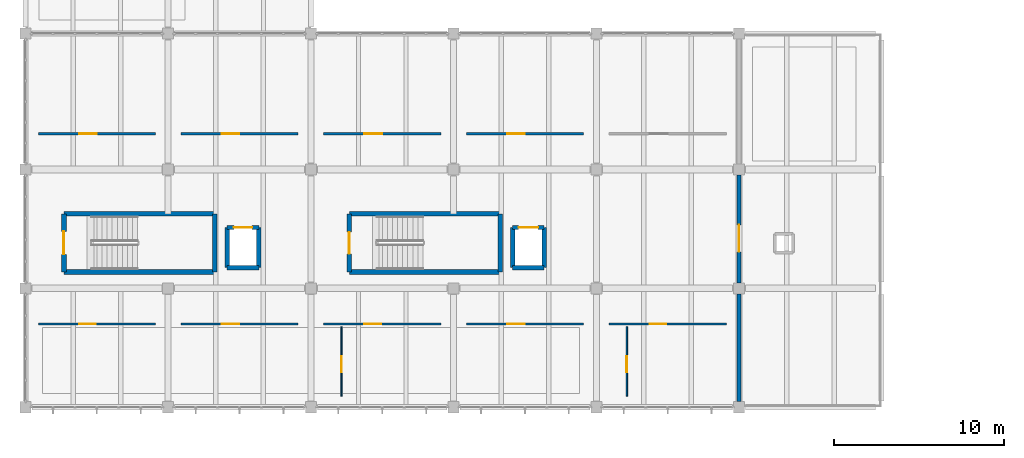
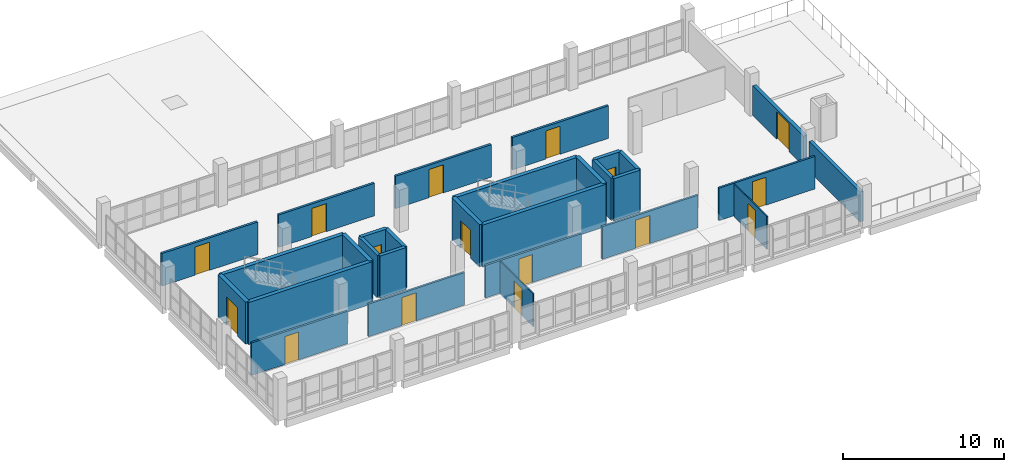
# One storey, part 26 of 33: 29 walls, 16 doors, 16 openings.
"""IFC4 building model written with IfcOpenShell, lengths in metres."""

from ifc_helpers import new_model, si_unit, direction, frame, frame_2d, origin, place, context, subcontext, project, spatial, rectangle, extrude, material, layer, layer_set, type_object, element, fill, save


model = new_model("IFC4")

# Units and contexts
model_context = context("Model", 3, precision=1e-05, world=origin(), true_north=direction((0.0, 1.0)))
body_context = subcontext(model_context, "Body", "Model", "MODEL_VIEW")
ifc_project = project(units=[si_unit("LENGTHUNIT", "METRE"), si_unit("AREAUNIT", "SQUARE_METRE"), si_unit("VOLUMEUNIT", "CUBIC_METRE"), si_unit("PLANEANGLEUNIT", "RADIAN"), si_unit("MASSUNIT", "GRAM", prefix="KILO"), si_unit("THERMODYNAMICTEMPERATUREUNIT", "KELVIN"), si_unit("POWERUNIT", "WATT")], contexts=[model_context])

# Site, building, storey
site_placement = place(None, origin())
site = spatial("IfcSite", under=ifc_project, at=site_placement, CompositionType="ELEMENT")
building_placement = place(site_placement, origin())
building = spatial("IfcBuilding", under=site, at=building_placement, Name="Mavoryth Pier Ferry Terminal", CompositionType="ELEMENT")
storey_placement = place(building_placement, frame((0.0, 0.0, 13.1201171875)))
storey = spatial("IfcBuildingStorey", under=building, at=storey_placement, Name="L03", CompositionType="ELEMENT", Elevation=13.1201171875)

# Walls
ifc_material_1 = material(Name="Concrete C35/45", Category="concrete")
ifc_layer_1 = layer(ifc_material_1, 0.260009765625, Name="Concrete C35/45", Category="concrete")
ifc_layer_set_1 = layer_set([ifc_layer_1], Name="Concrete C35/45 - CoreWall-LiftShaft-RC260")
wall_type_1 = type_object("IfcWallType", Name="CoreWall-LiftShaft-RC260", PredefinedType="SHEAR", material=ifc_layer_set_1)
wall_1_placement = place(storey_placement, frame((53.8701171875, 8.219970703125, 0.0), z_axis=(0.0, 0.0, 1.0), x_axis=(1.0, 0.0, 0.0)))
element("IfcWall", 1, at=wall_1_placement, inside=storey, type_object=wall_type_1, Name="Interior Wall IW-L03-0237", PredefinedType="SHEAR", context=body_context, shape_type="SweptSolid", body=[
    extrude(rectangle(XDim=1.85986328125, YDim=0.260009765625, at=frame_2d((0.929931640625, 0.0))), origin(), (0.0, 0.0, 1.0), 3.199951171875),
])
for number, where, z_axis, x_axis, name in (
    (2, (55.72998046875, 8.219970703125, 0.0), (0.0, 0.0, 1.0), (0.0, 1.0, 0.0), "Interior Wall IW-L03-0238"),
    (3, (53.8701171875, 10.580078125, 0.0), (0.0, 0.0, 1.0), (0.0, -1.0, 0.0), "Interior Wall IW-L03-0239"),
):
    element("IfcWall", number, at=place(storey_placement, frame(where, z_axis=z_axis, x_axis=x_axis)), inside=storey, type_object=wall_type_1, Name=name, PredefinedType="SHEAR", context=body_context, shape_type="SweptSolid", body=[
        extrude(rectangle(XDim=2.360107421875, YDim=0.260009765625, at=frame_2d((1.18017578125, 0.0))), origin(), (0.0, 0.0, 1.0), 3.199951171875),
    ])

# Wall, opening, door
wall_2_placement = place(storey_placement, frame((53.8701171875, 10.580078125, 0.0), z_axis=(0.0, 0.0, 1.0), x_axis=(1.0, 0.0, 0.0)))
wall_2 = element("IfcWall", 4, at=wall_2_placement, inside=storey, type_object=wall_type_1, Name="Interior Wall IW-L03-0240", PredefinedType="SHEAR", context=body_context, shape_type="SweptSolid", body=[
    extrude(rectangle(XDim=1.85986328125, YDim=0.260009765625, at=frame_2d((0.929931640625, 0.0))), origin(), (0.0, 0.0, 1.0), 3.199951171875),
])
opening_1_placement = place(wall_2_placement, frame((0.389892578125, 0.0, 0.0)))
opening_1 = element("IfcOpeningElement", 5, at=opening_1_placement, cuts=wall_2, Name="Opening LD03", PredefinedType="OPENING", context=body_context, shape_type="SweptSolid", body=[
    extrude(rectangle(XDim=1.080078125, YDim=2.139892578125, at=frame_2d((0.5400390625, 1.06982421875))), frame((0.0, 0.139892578125, 0.0), z_axis=(0.0, -1.0, 0.0), x_axis=(1.0, 0.0, 0.0)), (0.0, 0.0, 1.0), 0.280029296875),
])
ifc_material_2 = material(Name="EN 81-72 Fire-Rated Lift Landing Door")
door_type_1 = type_object("IfcDoorType", Name="Door-FireLiftLanding-1080x2140", OperationType="NOTDEFINED", PredefinedType="DOOR", material=ifc_material_2)
door_1_placement = place(opening_1_placement, origin())
door_1 = element("IfcDoor", 6, at=door_1_placement, inside=storey, type_object=door_type_1, Name="Lift FL01 Landing Door L03", OperationType="DOUBLE_DOOR_SLIDING", OverallHeight=2.139892578125, OverallWidth=1.080078125, PredefinedType="DOOR", context=body_context, shape_type="SweptSolid", body=[
    extrude(rectangle(XDim=1.080078125, YDim=2.139892578125, at=frame_2d((0.5400390625, 1.06982421875))), frame((0.0, 0.02490234375, 0.0), z_axis=(0.0, -1.0, 0.0), x_axis=(1.0, 0.0, 0.0)), (0.0, 0.0, 1.0), 0.050048828125),
])
fill(opening_1, door_1)

# Walls
wall_3_placement = place(storey_placement, frame((70.669921875, 8.219970703125, 0.0), z_axis=(0.0, 0.0, 1.0), x_axis=(1.0, 0.0, 0.0)))
element("IfcWall", 7, at=wall_3_placement, inside=storey, type_object=wall_type_1, Name="Interior Wall IW-L03-0277", PredefinedType="SHEAR", context=body_context, shape_type="SweptSolid", body=[
    extrude(rectangle(XDim=1.860107421875, YDim=0.260009765625, at=frame_2d((0.93017578125, 0.0))), origin(), (0.0, 0.0, 1.0), 3.199951171875),
])
for number, where, z_axis, x_axis, name in (
    (8, (72.530029296875, 8.219970703125, 0.0), (0.0, 0.0, 1.0), (0.0, 1.0, 0.0), "Interior Wall IW-L03-0278"),
    (9, (70.669921875, 10.580078125, 0.0), (0.0, 0.0, 1.0), (0.0, -1.0, 0.0), "Interior Wall IW-L03-0279"),
):
    element("IfcWall", number, at=place(storey_placement, frame(where, z_axis=z_axis, x_axis=x_axis)), inside=storey, type_object=wall_type_1, Name=name, PredefinedType="SHEAR", context=body_context, shape_type="SweptSolid", body=[
        extrude(rectangle(XDim=2.360107421875, YDim=0.260009765625, at=frame_2d((1.18017578125, 0.0))), origin(), (0.0, 0.0, 1.0), 3.199951171875),
    ])

# Wall, opening, door
wall_4_placement = place(storey_placement, frame((70.669921875, 10.580078125, 0.0), z_axis=(0.0, 0.0, 1.0), x_axis=(1.0, 0.0, 0.0)))
wall_4 = element("IfcWall", 10, at=wall_4_placement, inside=storey, type_object=wall_type_1, Name="Interior Wall IW-L03-0280", PredefinedType="SHEAR", context=body_context, shape_type="SweptSolid", body=[
    extrude(rectangle(XDim=1.860107421875, YDim=0.260009765625, at=frame_2d((0.93017578125, 0.0))), origin(), (0.0, 0.0, 1.0), 3.199951171875),
])
opening_2_placement = place(wall_4_placement, frame((0.360107421875, 0.0, 0.0)))
opening_2 = element("IfcOpeningElement", 11, at=opening_2_placement, cuts=wall_4, Name="Opening LD02", PredefinedType="OPENING", context=body_context, shape_type="SweptSolid", body=[
    extrude(rectangle(XDim=1.139892578125, YDim=2.139892578125, at=frame_2d((0.56982421875, 1.06982421875))), frame((0.0, 0.139892578125, 0.0), z_axis=(0.0, -1.0, 0.0), x_axis=(1.0, 0.0, 0.0)), (0.0, 0.0, 1.0), 0.280029296875),
])
ifc_material_3 = material(Name="Brushed Stainless Steel Lift Landing Door", Category="steel")
door_type_2 = type_object("IfcDoorType", Name="Door-LiftLanding-1140x2140", OperationType="NOTDEFINED", PredefinedType="DOOR", material=ifc_material_3)
door_2_placement = place(opening_2_placement, origin())
door_2 = element("IfcDoor", 12, at=door_2_placement, inside=storey, type_object=door_type_2, Name="Lift LF10 Landing Door L03", OperationType="DOUBLE_DOOR_SLIDING", OverallHeight=2.139892578125, OverallWidth=1.139892578125, PredefinedType="DOOR", context=body_context, shape_type="SweptSolid", body=[
    extrude(rectangle(XDim=1.139892578125, YDim=2.139892578125, at=frame_2d((0.56982421875, 1.06982421875))), frame((0.0, 0.02490234375, 0.0), z_axis=(0.0, -1.0, 0.0), x_axis=(1.0, 0.0, 0.0)), (0.0, 0.0, 1.0), 0.050048828125),
])
fill(opening_2, door_2)

# Walls
ifc_material_4 = material(Name="Concrete C40/50", Category="concrete")
ifc_layer_2 = layer(ifc_material_4, 0.280029296875, Name="Concrete C40/50", Category="concrete")
ifc_layer_set_2 = layer_set([ifc_layer_2], Name="Concrete C40/50 - CoreWall-Shear-RC280")
wall_type_2 = type_object("IfcWallType", Name="CoreWall-Shear-RC280", PredefinedType="SHEAR", material=ifc_layer_set_2)
for number, where, z_axis, x_axis, name in (
    (13, (44.260009765625, 7.9599609375, 0.0), (0.0, 0.0, 1.0), (1.0, 0.0, 0.0), "Interior Wall IW-L03-0217"),
    (14, (44.260009765625, 11.389892578125, 0.0), (0.0, 0.0, 1.0), (1.0, 0.0, 0.0), "Interior Wall IW-L03-0218"),
):
    element("IfcWall", number, at=place(storey_placement, frame(where, z_axis=z_axis, x_axis=x_axis)), inside=storey, type_object=wall_type_2, Name=name, PredefinedType="SHEAR", context=body_context, shape_type="SweptSolid", body=[
        extrude(rectangle(XDim=8.8798828125, YDim=0.280029296875, at=frame_2d((4.43994140625, 0.0))), origin(), (0.0, 0.0, 1.0), 3.199951171875),
    ])

# Wall, opening, door
wall_5_placement = place(storey_placement, frame((44.260009765625, 11.389892578125, 0.0), z_axis=(0.0, 0.0, 1.0), x_axis=(0.0, -1.0, 0.0)))
wall_5 = element("IfcWall", 15, at=wall_5_placement, inside=storey, type_object=wall_type_2, Name="Interior Wall IW-L03-0219", PredefinedType="SHEAR", context=body_context, shape_type="SweptSolid", body=[
    extrude(rectangle(XDim=3.429931640625, YDim=0.280029296875, at=frame_2d((1.71484375, 0.0))), origin(), (0.0, 0.0, 1.0), 3.199951171875),
])
opening_3_placement = place(wall_5_placement, frame((1.034912109375, 0.0, 0.0)))
opening_3 = element("IfcOpeningElement", 16, at=opening_3_placement, cuts=wall_5, Name="Opening ID02-055", PredefinedType="OPENING", context=body_context, shape_type="SweptSolid", body=[
    extrude(rectangle(XDim=1.360107421875, YDim=2.14990234375, at=frame_2d((0.68017578125, 1.074951171875))), frame((0.0, 0.14990234375, 0.0), z_axis=(0.0, -1.0, 0.0), x_axis=(1.0, 0.0, 0.0)), (0.0, 0.0, 1.0), 0.300048828125),
])
ifc_material_5 = material(Name="Painted Galvanised Steel Fire Door", Category="steel")
door_type_3 = type_object("IfcDoorType", Name="Door-StairFire-1360x2150", OperationType="NOTDEFINED", PredefinedType="DOOR", material=ifc_material_5)
door_3_placement = place(opening_3_placement, origin())
door_3 = element("IfcDoor", 17, at=door_3_placement, inside=storey, type_object=door_type_3, Name="Core C5A Stair Exit Door L03", OperationType="SINGLE_SWING_RIGHT", OverallHeight=2.14990234375, OverallWidth=1.360107421875, PredefinedType="DOOR", context=body_context, shape_type="SweptSolid", body=[
    extrude(rectangle(XDim=1.360107421875, YDim=2.14990234375, at=frame_2d((0.68017578125, 1.074951171875))), frame((0.0, 0.02490234375, 0.0), z_axis=(0.0, -1.0, 0.0), x_axis=(1.0, 0.0, 0.0)), (0.0, 0.0, 1.0), 0.050048828125),
])
fill(opening_3, door_3)

# Walls
wall_6_placement = place(storey_placement, frame((53.139892578125, 7.9599609375, 0.0), z_axis=(0.0, 0.0, 1.0), x_axis=(0.0, 1.0, 0.0)))
element("IfcWall", 18, at=wall_6_placement, inside=storey, type_object=wall_type_2, Name="Interior Wall IW-L03-0220", PredefinedType="SHEAR", context=body_context, shape_type="SweptSolid", body=[
    extrude(rectangle(XDim=3.429931640625, YDim=0.280029296875, at=frame_2d((1.71484375, 0.0))), origin(), (0.0, 0.0, 1.0), 3.199951171875),
])
for number, where, z_axis, x_axis, name in (
    (19, (61.06005859375, 7.9599609375, 0.0), (0.0, 0.0, 1.0), (1.0, 0.0, 0.0), "Interior Wall IW-L03-0257"),
    (20, (61.06005859375, 11.389892578125, 0.0), (0.0, 0.0, 1.0), (1.0, 0.0, 0.0), "Interior Wall IW-L03-0258"),
):
    element("IfcWall", number, at=place(storey_placement, frame(where, z_axis=z_axis, x_axis=x_axis)), inside=storey, type_object=wall_type_2, Name=name, PredefinedType="SHEAR", context=body_context, shape_type="SweptSolid", body=[
        extrude(rectangle(XDim=8.8798828125, YDim=0.280029296875, at=frame_2d((4.43994140625, 0.0))), origin(), (0.0, 0.0, 1.0), 3.199951171875),
    ])

# Wall, opening, door
wall_7_placement = place(storey_placement, frame((61.06005859375, 11.389892578125, 0.0), z_axis=(0.0, 0.0, 1.0), x_axis=(0.0, -1.0, 0.0)))
wall_7 = element("IfcWall", 21, at=wall_7_placement, inside=storey, type_object=wall_type_2, Name="Interior Wall IW-L03-0259", PredefinedType="SHEAR", context=body_context, shape_type="SweptSolid", body=[
    extrude(rectangle(XDim=3.429931640625, YDim=0.280029296875, at=frame_2d((1.71484375, 0.0))), origin(), (0.0, 0.0, 1.0), 3.199951171875),
])
opening_4_placement = place(wall_7_placement, frame((1.074951171875, 0.0, 0.0)))
opening_4 = element("IfcOpeningElement", 22, at=opening_4_placement, cuts=wall_7, Name="Opening ID03-065", PredefinedType="OPENING", context=body_context, shape_type="SweptSolid", body=[
    extrude(rectangle(XDim=1.280029296875, YDim=2.10009765625, at=frame_2d((0.64013671875, 1.050048828125))), frame((0.0, 0.14990234375, 0.0), z_axis=(0.0, -1.0, 0.0), x_axis=(1.0, 0.0, 0.0)), (0.0, 0.0, 1.0), 0.300048828125),
])
door_type_4 = type_object("IfcDoorType", Name="Door-StairFire-1280x2100", OperationType="NOTDEFINED", PredefinedType="DOOR", material=ifc_material_5)
door_4_placement = place(opening_4_placement, origin())
door_4 = element("IfcDoor", 23, at=door_4_placement, inside=storey, type_object=door_type_4, Name="Core C5B Stair Exit Door L03", OperationType="SINGLE_SWING_LEFT", OverallHeight=2.10009765625, OverallWidth=1.280029296875, PredefinedType="DOOR", context=body_context, shape_type="SweptSolid", body=[
    extrude(rectangle(XDim=1.280029296875, YDim=2.10009765625, at=frame_2d((0.64013671875, 1.050048828125))), frame((0.0, 0.02490234375, 0.0), z_axis=(0.0, -1.0, 0.0), x_axis=(1.0, 0.0, 0.0)), (0.0, 0.0, 1.0), 0.050048828125),
])
fill(opening_4, door_4)

# Walls
wall_8_placement = place(storey_placement, frame((69.93994140625, 7.9599609375, 0.0), z_axis=(0.0, 0.0, 1.0), x_axis=(0.0, 1.0, 0.0)))
element("IfcWall", 24, at=wall_8_placement, inside=storey, type_object=wall_type_2, Name="Interior Wall IW-L03-0260", PredefinedType="SHEAR", context=body_context, shape_type="SweptSolid", body=[
    extrude(rectangle(XDim=3.429931640625, YDim=0.280029296875, at=frame_2d((1.71484375, 0.0))), origin(), (0.0, 0.0, 1.0), 3.199951171875),
])
ifc_material_6 = material(Name="Insulated Pentelic Limestone-Faced Masonry", Category="masonry")
ifc_layer_3 = layer(ifc_material_6, 0.25, Name="Insulated Pentelic Limestone-Faced Masonry", Category="masonry")
ifc_layer_set_3 = layer_set([ifc_layer_3], Name="Insulated Pentelic Limestone-Faced Masonry - ExtWall-Facade-Masonry250")
wall_type_3 = type_object("IfcWallType", Name="ExtWall-Facade-Masonry250", PredefinedType="SOLIDWALL", material=ifc_layer_set_3)
wall_9_placement = place(storey_placement, frame((84.0, 0.324951171875, 0.0), z_axis=(0.0, 0.0, 1.0), x_axis=(0.0, 1.0, 0.0)))
element("IfcWall", 25, at=wall_9_placement, inside=storey, type_object=wall_type_3, Name="Exterior Wall EW-L03-175", PredefinedType="SOLIDWALL", context=body_context, shape_type="SweptSolid", body=[
    extrude(rectangle(XDim=6.35009765625, YDim=0.25, at=frame_2d((3.175048828125, 0.0))), origin(), (0.0, 0.0, 1.0), 2.27490234375),
])

# Wall, opening, door
wall_10_placement = place(storey_placement, frame((84.0, 7.324951171875, 0.0), z_axis=(0.0, 0.0, 1.0), x_axis=(0.0, 1.0, 0.0)))
wall_10 = element("IfcWall", 26, at=wall_10_placement, inside=storey, type_object=wall_type_3, Name="Exterior Wall EW-L03-176", PredefinedType="SOLIDWALL", context=body_context, shape_type="SweptSolid", body=[
    extrude(rectangle(XDim=6.35009765625, YDim=0.25, at=frame_2d((3.175048828125, 0.0))), origin(), (0.0, 0.0, 1.0), 2.27490234375),
])
opening_5_placement = place(wall_10_placement, frame((1.81494140625, 0.0, 0.0)))
opening_5 = element("IfcOpeningElement", 27, at=opening_5_placement, cuts=wall_10, Name="Opening ED07-033", PredefinedType="OPENING", context=body_context, shape_type="SweptSolid", body=[
    extrude(rectangle(XDim=1.60009765625, YDim=2.10009765625, at=frame_2d((0.800048828125, 1.050048828125))), frame((0.0, 0.135009765625, 0.0), z_axis=(0.0, -1.0, 0.0), x_axis=(1.0, 0.0, 0.0)), (0.0, 0.0, 1.0), 0.27001953125),
])
ifc_material_7 = material(Name="Thermally Broken Anodised Aluminium and Laminated Glass", Category="aluminium")
door_type_5 = type_object("IfcDoorType", Name="ExtDoor-Terrace-1600x2100", OperationType="NOTDEFINED", PredefinedType="DOOR", material=ifc_material_7)
door_5_placement = place(opening_5_placement, origin())
door_5 = element("IfcDoor", 28, at=door_5_placement, inside=storey, type_object=door_type_5, Name="Exterior Pedestrian Exit Door ED07-033", OperationType="SINGLE_SWING_LEFT", OverallHeight=2.10009765625, OverallWidth=1.60009765625, PredefinedType="DOOR", context=body_context, shape_type="SweptSolid", body=[
    extrude(rectangle(XDim=1.60009765625, YDim=2.10009765625, at=frame_2d((0.800048828125, 1.050048828125))), frame((0.0, 0.02490234375, 0.0), z_axis=(0.0, -1.0, 0.0), x_axis=(1.0, 0.0, 0.0)), (0.0, 0.0, 1.0), 0.050048828125),
])
fill(opening_5, door_5)

ifc_material_8 = material(Name="Double-Stud Acoustic Gypsum Partition")
ifc_layer_4 = layer(ifc_material_8, 0.159912109375, Name="Double-Stud Acoustic Gypsum Partition")
ifc_layer_set_4 = layer_set([ifc_layer_4], Name="Double-Stud Acoustic Gypsum Partition - Part-Acoustic-160")
wall_type_4 = type_object("IfcWallType", Name="Part-Acoustic-160", PredefinedType="PARTITIONING", material=ifc_layer_set_4)
wall_11_placement = place(storey_placement, frame((42.75, 16.10009765625, 0.0), z_axis=(0.0, 0.0, 1.0), x_axis=(1.0, 0.0, 0.0)))
wall_11 = element("IfcWall", 29, at=wall_11_placement, inside=storey, type_object=wall_type_4, Name="Interior Wall IW-L03-0484", PredefinedType="PARTITIONING", context=body_context, shape_type="SweptSolid", body=[
    extrude(rectangle(XDim=6.89990234375, YDim=0.159912109375, at=frame_2d((3.449951171875, 0.0))), origin(), (0.0, 0.0, 1.0), 2.474853515625),
])
opening_6_placement = place(wall_11_placement, frame((2.39990234375, 0.0, 0.0)))
opening_6 = element("IfcOpeningElement", 30, at=opening_6_placement, cuts=wall_11, Name="Opening ID08-153", PredefinedType="OPENING", context=body_context, shape_type="SweptSolid", body=[
    extrude(rectangle(XDim=1.0400390625, YDim=2.139892578125, at=frame_2d((0.52001953125, 1.06982421875))), frame((0.0, 0.08984375, 0.0), z_axis=(0.0, -1.0, 0.0), x_axis=(1.0, 0.0, 0.0)), (0.0, 0.0, 1.0), 0.179931640625),
])
ifc_material_9 = material(Name="Solid-Core Oak Veneer Timber Door", Category="wood")
door_type_6 = type_object("IfcDoorType", Name="Door-RoomSingle-1040x2140", OperationType="NOTDEFINED", PredefinedType="DOOR", material=ifc_material_9)
door_6_placement = place(opening_6_placement, origin())
door_6 = element("IfcDoor", 31, at=door_6_placement, inside=storey, type_object=door_type_6, Name="Interior Door ID08-153", OperationType="SINGLE_SWING_RIGHT", OverallHeight=2.139892578125, OverallWidth=1.0400390625, PredefinedType="DOOR", context=body_context, shape_type="SweptSolid", body=[
    extrude(rectangle(XDim=1.0400390625, YDim=2.139892578125, at=frame_2d((0.52001953125, 1.06982421875))), frame((0.0, 0.02490234375, 0.0), z_axis=(0.0, -1.0, 0.0), x_axis=(1.0, 0.0, 0.0)), (0.0, 0.0, 1.0), 0.050048828125),
])
fill(opening_6, door_6)

wall_12_placement = place(storey_placement, frame((51.14990234375, 16.10009765625, 0.0), z_axis=(0.0, 0.0, 1.0), x_axis=(1.0, 0.0, 0.0)))
wall_12 = element("IfcWall", 32, at=wall_12_placement, inside=storey, type_object=wall_type_4, Name="Interior Wall IW-L03-0486", PredefinedType="PARTITIONING", context=body_context, shape_type="SweptSolid", body=[
    extrude(rectangle(XDim=6.900146484375, YDim=0.159912109375, at=frame_2d((3.4501953125, 0.0))), origin(), (0.0, 0.0, 1.0), 2.474853515625),
])
opening_7_placement = place(wall_12_placement, frame((2.39990234375, 0.0, 0.0)))
opening_7 = element("IfcOpeningElement", 33, at=opening_7_placement, cuts=wall_12, Name="Opening ID08-155", PredefinedType="OPENING", context=body_context, shape_type="SweptSolid", body=[
    extrude(rectangle(XDim=1.0400390625, YDim=2.139892578125, at=frame_2d((0.52001953125, 1.06982421875))), frame((0.0, 0.08984375, 0.0), z_axis=(0.0, -1.0, 0.0), x_axis=(1.0, 0.0, 0.0)), (0.0, 0.0, 1.0), 0.179931640625),
])
door_7_placement = place(opening_7_placement, origin())
door_7 = element("IfcDoor", 34, at=door_7_placement, inside=storey, type_object=door_type_6, Name="Interior Door ID08-155", OperationType="SINGLE_SWING_RIGHT", OverallHeight=2.139892578125, OverallWidth=1.0400390625, PredefinedType="DOOR", context=body_context, shape_type="SweptSolid", body=[
    extrude(rectangle(XDim=1.0400390625, YDim=2.139892578125, at=frame_2d((0.52001953125, 1.06982421875))), frame((0.0, 0.02490234375, 0.0), z_axis=(0.0, -1.0, 0.0), x_axis=(1.0, 0.0, 0.0)), (0.0, 0.0, 1.0), 0.050048828125),
])
fill(opening_7, door_7)

wall_13_placement = place(storey_placement, frame((59.550048828125, 16.10009765625, 0.0), z_axis=(0.0, 0.0, 1.0), x_axis=(1.0, 0.0, 0.0)))
wall_13 = element("IfcWall", 35, at=wall_13_placement, inside=storey, type_object=wall_type_4, Name="Interior Wall IW-L03-0489", PredefinedType="PARTITIONING", context=body_context, shape_type="SweptSolid", body=[
    extrude(rectangle(XDim=6.89990234375, YDim=0.159912109375, at=frame_2d((3.449951171875, 0.0))), origin(), (0.0, 0.0, 1.0), 2.474853515625),
])
opening_8_placement = place(wall_13_placement, frame((2.39990234375, 0.0, 0.0)))
opening_8 = element("IfcOpeningElement", 36, at=opening_8_placement, cuts=wall_13, Name="Opening ID08-158", PredefinedType="OPENING", context=body_context, shape_type="SweptSolid", body=[
    extrude(rectangle(XDim=1.0400390625, YDim=2.139892578125, at=frame_2d((0.52001953125, 1.06982421875))), frame((0.0, 0.08984375, 0.0), z_axis=(0.0, -1.0, 0.0), x_axis=(1.0, 0.0, 0.0)), (0.0, 0.0, 1.0), 0.179931640625),
])
door_8_placement = place(opening_8_placement, origin())
door_8 = element("IfcDoor", 37, at=door_8_placement, inside=storey, type_object=door_type_6, Name="Interior Door ID08-158", OperationType="SINGLE_SWING_LEFT", OverallHeight=2.139892578125, OverallWidth=1.0400390625, PredefinedType="DOOR", context=body_context, shape_type="SweptSolid", body=[
    extrude(rectangle(XDim=1.0400390625, YDim=2.139892578125, at=frame_2d((0.52001953125, 1.06982421875))), frame((0.0, 0.02490234375, 0.0), z_axis=(0.0, -1.0, 0.0), x_axis=(1.0, 0.0, 0.0)), (0.0, 0.0, 1.0), 0.050048828125),
])
fill(opening_8, door_8)

wall_14_placement = place(storey_placement, frame((67.949951171875, 16.10009765625, 0.0), z_axis=(0.0, 0.0, 1.0), x_axis=(1.0, 0.0, 0.0)))
wall_14 = element("IfcWall", 38, at=wall_14_placement, inside=storey, type_object=wall_type_4, Name="Interior Wall IW-L03-0491", PredefinedType="PARTITIONING", context=body_context, shape_type="SweptSolid", body=[
    extrude(rectangle(XDim=6.900146484375, YDim=0.159912109375, at=frame_2d((3.4501953125, 0.0))), origin(), (0.0, 0.0, 1.0), 2.474853515625),
])
opening_9_placement = place(wall_14_placement, frame((2.39990234375, 0.0, 0.0)))
opening_9 = element("IfcOpeningElement", 39, at=opening_9_placement, cuts=wall_14, Name="Opening ID08-160", PredefinedType="OPENING", context=body_context, shape_type="SweptSolid", body=[
    extrude(rectangle(XDim=1.0400390625, YDim=2.139892578125, at=frame_2d((0.52001953125, 1.06982421875))), frame((0.0, 0.08984375, 0.0), z_axis=(0.0, -1.0, 0.0), x_axis=(1.0, 0.0, 0.0)), (0.0, 0.0, 1.0), 0.179931640625),
])
door_9_placement = place(opening_9_placement, origin())
door_9 = element("IfcDoor", 40, at=door_9_placement, inside=storey, type_object=door_type_6, Name="Interior Door ID08-160", OperationType="SINGLE_SWING_LEFT", OverallHeight=2.139892578125, OverallWidth=1.0400390625, PredefinedType="DOOR", context=body_context, shape_type="SweptSolid", body=[
    extrude(rectangle(XDim=1.0400390625, YDim=2.139892578125, at=frame_2d((0.52001953125, 1.06982421875))), frame((0.0, 0.02490234375, 0.0), z_axis=(0.0, -1.0, 0.0), x_axis=(1.0, 0.0, 0.0)), (0.0, 0.0, 1.0), 0.050048828125),
])
fill(opening_9, door_9)

ifc_material_10 = material(Name="Fire-Rated Gypsum Stud Partition")
ifc_layer_5 = layer(ifc_material_10, 0.139892578125, Name="Fire-Rated Gypsum Stud Partition")
ifc_layer_set_5 = layer_set([ifc_layer_5], Name="Fire-Rated Gypsum Stud Partition - Part-Corridor-140")
wall_type_5 = type_object("IfcWallType", Name="Part-Corridor-140", PredefinedType="PARTITIONING", material=ifc_layer_set_5)
wall_15_placement = place(storey_placement, frame((42.75, 4.89990234375, 0.0), z_axis=(0.0, 0.0, 1.0), x_axis=(1.0, 0.0, 0.0)))
wall_15 = element("IfcWall", 41, at=wall_15_placement, inside=storey, type_object=wall_type_5, Name="Interior Wall IW-L03-0483", PredefinedType="PARTITIONING", context=body_context, shape_type="SweptSolid", body=[
    extrude(rectangle(XDim=6.89990234375, YDim=0.139892578125, at=frame_2d((3.449951171875, 0.0))), origin(), (0.0, 0.0, 1.0), 2.474853515625),
])
opening_10_placement = place(wall_15_placement, frame((2.39990234375, 0.0, 0.0)))
opening_10 = element("IfcOpeningElement", 42, at=opening_10_placement, cuts=wall_15, Name="Opening ID09-152", PredefinedType="OPENING", context=body_context, shape_type="SweptSolid", body=[
    extrude(rectangle(XDim=0.97998046875, YDim=2.1201171875, at=frame_2d((0.489990234375, 1.06005859375))), frame((0.0, 0.079833984375, 0.0), z_axis=(0.0, -1.0, 0.0), x_axis=(1.0, 0.0, 0.0)), (0.0, 0.0, 1.0), 0.159912109375),
])
door_type_7 = type_object("IfcDoorType", Name="Door-RoomSingle-980x2120", OperationType="NOTDEFINED", PredefinedType="DOOR", material=ifc_material_9)
door_10_placement = place(opening_10_placement, origin())
door_10 = element("IfcDoor", 43, at=door_10_placement, inside=storey, type_object=door_type_7, Name="Interior Door ID09-152", OperationType="SINGLE_SWING_LEFT", OverallHeight=2.1201171875, OverallWidth=0.97998046875, PredefinedType="DOOR", context=body_context, shape_type="SweptSolid", body=[
    extrude(rectangle(XDim=0.97998046875, YDim=2.1201171875, at=frame_2d((0.489990234375, 1.06005859375))), frame((0.0, 0.02490234375, 0.0), z_axis=(0.0, -1.0, 0.0), x_axis=(1.0, 0.0, 0.0)), (0.0, 0.0, 1.0), 0.050048828125),
])
fill(opening_10, door_10)

wall_16_placement = place(storey_placement, frame((51.14990234375, 4.89990234375, 0.0), z_axis=(0.0, 0.0, 1.0), x_axis=(1.0, 0.0, 0.0)))
wall_16 = element("IfcWall", 44, at=wall_16_placement, inside=storey, type_object=wall_type_5, Name="Interior Wall IW-L03-0485", PredefinedType="PARTITIONING", context=body_context, shape_type="SweptSolid", body=[
    extrude(rectangle(XDim=6.900146484375, YDim=0.139892578125, at=frame_2d((3.4501953125, 0.0))), origin(), (0.0, 0.0, 1.0), 2.474853515625),
])
opening_11_placement = place(wall_16_placement, frame((2.39990234375, 0.0, 0.0)))
opening_11 = element("IfcOpeningElement", 45, at=opening_11_placement, cuts=wall_16, Name="Opening ID08-154", PredefinedType="OPENING", context=body_context, shape_type="SweptSolid", body=[
    extrude(rectangle(XDim=1.0400390625, YDim=2.139892578125, at=frame_2d((0.52001953125, 1.06982421875))), frame((0.0, 0.079833984375, 0.0), z_axis=(0.0, -1.0, 0.0), x_axis=(1.0, 0.0, 0.0)), (0.0, 0.0, 1.0), 0.159912109375),
])
door_11_placement = place(opening_11_placement, origin())
door_11 = element("IfcDoor", 46, at=door_11_placement, inside=storey, type_object=door_type_6, Name="Interior Door ID08-154", OperationType="SINGLE_SWING_LEFT", OverallHeight=2.139892578125, OverallWidth=1.0400390625, PredefinedType="DOOR", context=body_context, shape_type="SweptSolid", body=[
    extrude(rectangle(XDim=1.0400390625, YDim=2.139892578125, at=frame_2d((0.52001953125, 1.06982421875))), frame((0.0, 0.02490234375, 0.0), z_axis=(0.0, -1.0, 0.0), x_axis=(1.0, 0.0, 0.0)), (0.0, 0.0, 1.0), 0.050048828125),
])
fill(opening_11, door_11)

wall_17_placement = place(storey_placement, frame((59.550048828125, 4.89990234375, 0.0), z_axis=(0.0, 0.0, 1.0), x_axis=(1.0, 0.0, 0.0)))
wall_17 = element("IfcWall", 47, at=wall_17_placement, inside=storey, type_object=wall_type_5, Name="Interior Wall IW-L03-0487", PredefinedType="PARTITIONING", context=body_context, shape_type="SweptSolid", body=[
    extrude(rectangle(XDim=6.89990234375, YDim=0.139892578125, at=frame_2d((3.449951171875, 0.0))), origin(), (0.0, 0.0, 1.0), 2.474853515625),
])
opening_12_placement = place(wall_17_placement, frame((2.39990234375, 0.0, 0.0)))
opening_12 = element("IfcOpeningElement", 48, at=opening_12_placement, cuts=wall_17, Name="Opening ID09-156", PredefinedType="OPENING", context=body_context, shape_type="SweptSolid", body=[
    extrude(rectangle(XDim=0.97998046875, YDim=2.1201171875, at=frame_2d((0.489990234375, 1.06005859375))), frame((0.0, 0.079833984375, 0.0), z_axis=(0.0, -1.0, 0.0), x_axis=(1.0, 0.0, 0.0)), (0.0, 0.0, 1.0), 0.159912109375),
])
door_12_placement = place(opening_12_placement, origin())
door_12 = element("IfcDoor", 49, at=door_12_placement, inside=storey, type_object=door_type_7, Name="Interior Door ID09-156", OperationType="SINGLE_SWING_LEFT", OverallHeight=2.1201171875, OverallWidth=0.97998046875, PredefinedType="DOOR", context=body_context, shape_type="SweptSolid", body=[
    extrude(rectangle(XDim=0.97998046875, YDim=2.1201171875, at=frame_2d((0.489990234375, 1.06005859375))), frame((0.0, 0.02490234375, 0.0), z_axis=(0.0, -1.0, 0.0), x_axis=(1.0, 0.0, 0.0)), (0.0, 0.0, 1.0), 0.050048828125),
])
fill(opening_12, door_12)

wall_18_placement = place(storey_placement, frame((67.949951171875, 4.89990234375, 0.0), z_axis=(0.0, 0.0, 1.0), x_axis=(1.0, 0.0, 0.0)))
wall_18 = element("IfcWall", 50, at=wall_18_placement, inside=storey, type_object=wall_type_5, Name="Interior Wall IW-L03-0490", PredefinedType="PARTITIONING", context=body_context, shape_type="SweptSolid", body=[
    extrude(rectangle(XDim=6.900146484375, YDim=0.139892578125, at=frame_2d((3.4501953125, 0.0))), origin(), (0.0, 0.0, 1.0), 2.474853515625),
])
opening_13_placement = place(wall_18_placement, frame((2.39990234375, 0.0, 0.0)))
opening_13 = element("IfcOpeningElement", 51, at=opening_13_placement, cuts=wall_18, Name="Opening ID08-159", PredefinedType="OPENING", context=body_context, shape_type="SweptSolid", body=[
    extrude(rectangle(XDim=1.0400390625, YDim=2.139892578125, at=frame_2d((0.52001953125, 1.06982421875))), frame((0.0, 0.079833984375, 0.0), z_axis=(0.0, -1.0, 0.0), x_axis=(1.0, 0.0, 0.0)), (0.0, 0.0, 1.0), 0.159912109375),
])
door_13_placement = place(opening_13_placement, origin())
door_13 = element("IfcDoor", 52, at=door_13_placement, inside=storey, type_object=door_type_6, Name="Interior Door ID08-159", OperationType="SINGLE_SWING_RIGHT", OverallHeight=2.139892578125, OverallWidth=1.0400390625, PredefinedType="DOOR", context=body_context, shape_type="SweptSolid", body=[
    extrude(rectangle(XDim=1.0400390625, YDim=2.139892578125, at=frame_2d((0.52001953125, 1.06982421875))), frame((0.0, 0.02490234375, 0.0), z_axis=(0.0, -1.0, 0.0), x_axis=(1.0, 0.0, 0.0)), (0.0, 0.0, 1.0), 0.050048828125),
])
fill(opening_13, door_13)

wall_19_placement = place(storey_placement, frame((76.35009765625, 4.89990234375, 0.0), z_axis=(0.0, 0.0, 1.0), x_axis=(1.0, 0.0, 0.0)))
wall_19 = element("IfcWall", 53, at=wall_19_placement, inside=storey, type_object=wall_type_5, Name="Interior Wall IW-L03-0492", PredefinedType="PARTITIONING", context=body_context, shape_type="SweptSolid", body=[
    extrude(rectangle(XDim=6.89990234375, YDim=0.139892578125, at=frame_2d((3.449951171875, 0.0))), origin(), (0.0, 0.0, 1.0), 2.474853515625),
])
opening_14_placement = place(wall_19_placement, frame((2.39990234375, 0.0, 0.0)))
opening_14 = element("IfcOpeningElement", 54, at=opening_14_placement, cuts=wall_19, Name="Opening ID09-161", PredefinedType="OPENING", context=body_context, shape_type="SweptSolid", body=[
    extrude(rectangle(XDim=0.97998046875, YDim=2.1201171875, at=frame_2d((0.489990234375, 1.06005859375))), frame((0.0, 0.079833984375, 0.0), z_axis=(0.0, -1.0, 0.0), x_axis=(1.0, 0.0, 0.0)), (0.0, 0.0, 1.0), 0.159912109375),
])
door_14_placement = place(opening_14_placement, origin())
door_14 = element("IfcDoor", 55, at=door_14_placement, inside=storey, type_object=door_type_7, Name="Interior Door ID09-161", OperationType="SINGLE_SWING_RIGHT", OverallHeight=2.1201171875, OverallWidth=0.97998046875, PredefinedType="DOOR", context=body_context, shape_type="SweptSolid", body=[
    extrude(rectangle(XDim=0.97998046875, YDim=2.1201171875, at=frame_2d((0.489990234375, 1.06005859375))), frame((0.0, 0.02490234375, 0.0), z_axis=(0.0, -1.0, 0.0), x_axis=(1.0, 0.0, 0.0)), (0.0, 0.0, 1.0), 0.050048828125),
])
fill(opening_14, door_14)

ifc_material_11 = material(Name="Lightweight Glazed Acoustic Partition")
ifc_layer_6 = layer(ifc_material_11, 0.080078125, Name="Lightweight Glazed Acoustic Partition")
ifc_layer_set_6 = layer_set([ifc_layer_6], Name="Lightweight Glazed Acoustic Partition - Part-Office-080")
wall_type_6 = type_object("IfcWallType", Name="Part-Office-080", PredefinedType="PARTITIONING", material=ifc_layer_set_6)
wall_20_placement = place(storey_placement, frame((60.60009765625, 0.64990234375, 0.0), z_axis=(0.0, 0.0, 1.0), x_axis=(0.0, 1.0, 0.0)))
wall_20 = element("IfcWall", 56, at=wall_20_placement, inside=storey, type_object=wall_type_6, Name="Interior Wall IW-L03-0488", PredefinedType="PARTITIONING", context=body_context, shape_type="SweptSolid", body=[
    extrude(rectangle(XDim=4.10009765625, YDim=0.080078125, at=frame_2d((2.050048828125, 0.0))), origin(), (0.0, 0.0, 1.0), 2.5),
])
opening_15_placement = place(wall_20_placement, frame((1.39990234375, 0.0, 0.0)))
opening_15 = element("IfcOpeningElement", 57, at=opening_15_placement, cuts=wall_20, Name="Opening ID10-157", PredefinedType="OPENING", context=body_context, shape_type="SweptSolid", body=[
    extrude(rectangle(XDim=0.93994140625, YDim=2.080078125, at=frame_2d((0.469970703125, 1.0400390625))), frame((0.0, 0.050048828125, 0.0), z_axis=(0.0, -1.0, 0.0), x_axis=(1.0, 0.0, 0.0)), (0.0, 0.0, 1.0), 0.10009765625),
])
door_type_8 = type_object("IfcDoorType", Name="Door-RoomSingle-940x2080", OperationType="NOTDEFINED", PredefinedType="DOOR", material=ifc_material_9)
door_15_placement = place(opening_15_placement, origin())
door_15 = element("IfcDoor", 58, at=door_15_placement, inside=storey, type_object=door_type_8, Name="Interior Door ID10-157", OperationType="SINGLE_SWING_RIGHT", OverallHeight=2.080078125, OverallWidth=0.93994140625, PredefinedType="DOOR", context=body_context, shape_type="SweptSolid", body=[
    extrude(rectangle(XDim=0.93994140625, YDim=2.080078125, at=frame_2d((0.469970703125, 1.0400390625))), frame((0.0, 0.02490234375, 0.0), z_axis=(0.0, -1.0, 0.0), x_axis=(1.0, 0.0, 0.0)), (0.0, 0.0, 1.0), 0.050048828125),
])
fill(opening_15, door_15)

wall_21_placement = place(storey_placement, frame((77.39990234375, 0.64990234375, 0.0), z_axis=(0.0, 0.0, 1.0), x_axis=(0.0, 1.0, 0.0)))
wall_21 = element("IfcWall", 59, at=wall_21_placement, inside=storey, type_object=wall_type_6, Name="Interior Wall IW-L03-0493", PredefinedType="PARTITIONING", context=body_context, shape_type="SweptSolid", body=[
    extrude(rectangle(XDim=4.10009765625, YDim=0.080078125, at=frame_2d((2.050048828125, 0.0))), origin(), (0.0, 0.0, 1.0), 2.5),
])
opening_16_placement = place(wall_21_placement, frame((1.39990234375, 0.0, 0.0)))
opening_16 = element("IfcOpeningElement", 60, at=opening_16_placement, cuts=wall_21, Name="Opening ID10-162", PredefinedType="OPENING", context=body_context, shape_type="SweptSolid", body=[
    extrude(rectangle(XDim=0.93994140625, YDim=2.080078125, at=frame_2d((0.469970703125, 1.0400390625))), frame((0.0, 0.050048828125, 0.0), z_axis=(0.0, -1.0, 0.0), x_axis=(1.0, 0.0, 0.0)), (0.0, 0.0, 1.0), 0.10009765625),
])
door_16_placement = place(opening_16_placement, origin())
door_16 = element("IfcDoor", 61, at=door_16_placement, inside=storey, type_object=door_type_8, Name="Interior Door ID10-162", OperationType="SINGLE_SWING_LEFT", OverallHeight=2.080078125, OverallWidth=0.93994140625, PredefinedType="DOOR", context=body_context, shape_type="SweptSolid", body=[
    extrude(rectangle(XDim=0.93994140625, YDim=2.080078125, at=frame_2d((0.469970703125, 1.0400390625))), frame((0.0, 0.02490234375, 0.0), z_axis=(0.0, -1.0, 0.0), x_axis=(1.0, 0.0, 0.0)), (0.0, 0.0, 1.0), 0.050048828125),
])
fill(opening_16, door_16)

save(model, "model.ifc")
